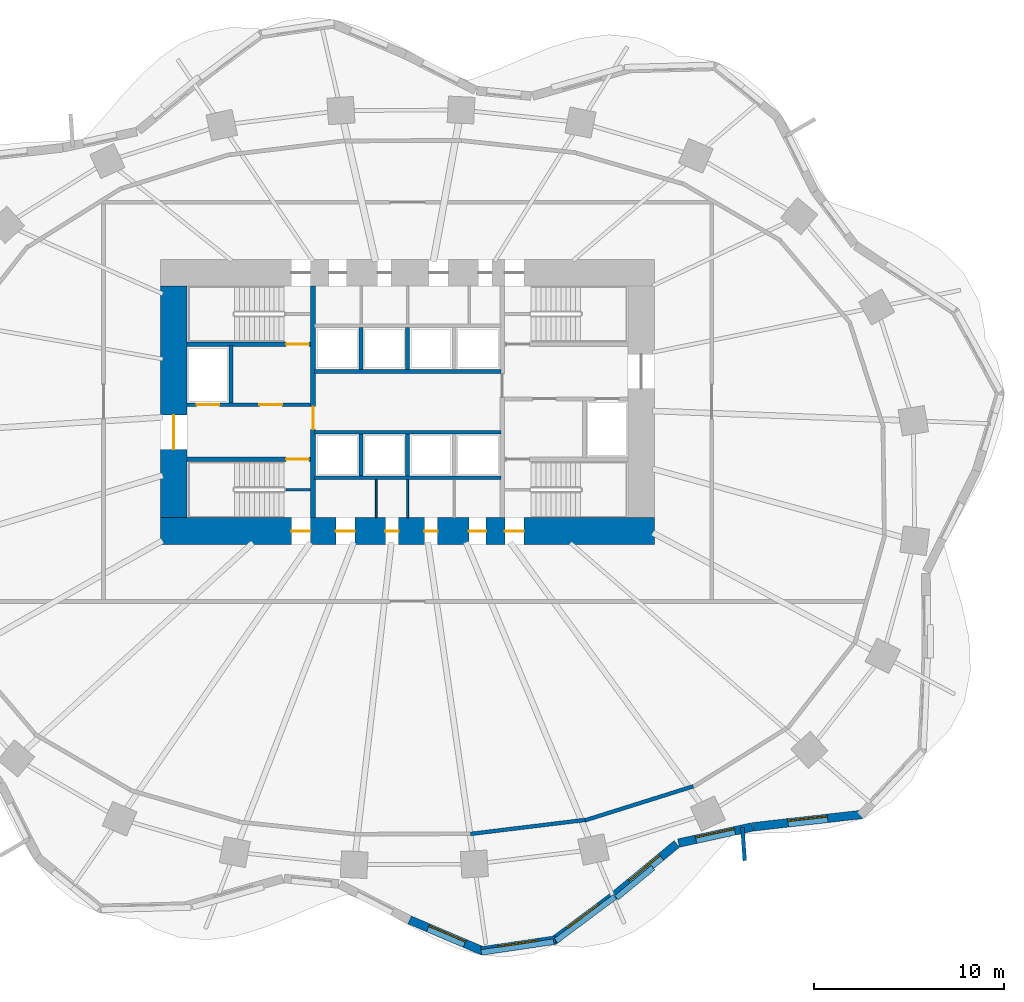
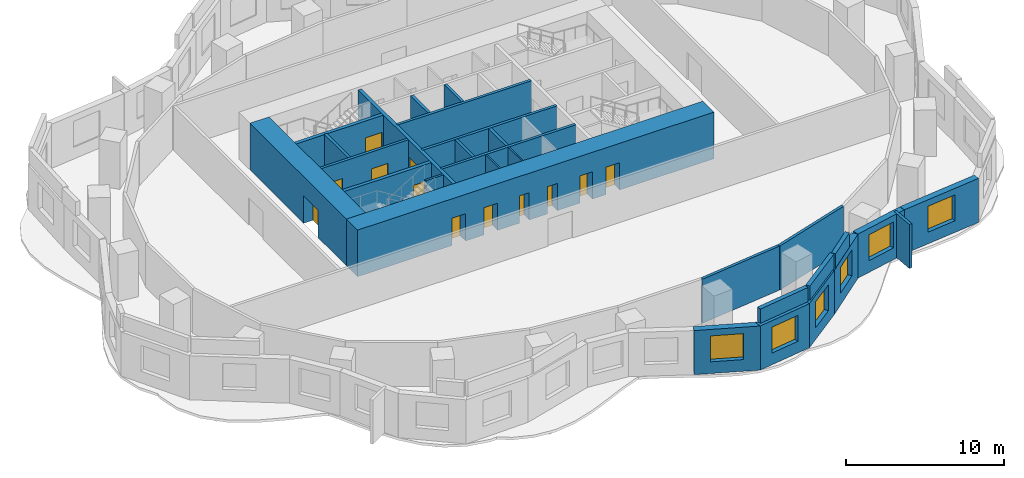
# One storey, part 4 of 8: 29 walls, 12 doors, 6 windows, 18 openings.
"""IFC4 building model written with IfcOpenShell, lengths in metres."""

from ifc_helpers import new_model, si_unit, direction, frame, frame_2d, origin, place, context, subcontext, project, spatial, rectangle, extrude, material, layer, layer_set, type_object, element, fill, save


model = new_model("IFC4")

# Units and contexts
model_context = context("Model", 3, precision=1e-05, world=origin(), true_north=direction((0.0, 1.0)))
body_context = subcontext(model_context, "Body", "Model", "MODEL_VIEW")
ifc_project = project(units=[si_unit("LENGTHUNIT", "METRE"), si_unit("AREAUNIT", "SQUARE_METRE"), si_unit("VOLUMEUNIT", "CUBIC_METRE"), si_unit("PLANEANGLEUNIT", "RADIAN"), si_unit("MASSUNIT", "GRAM", prefix="KILO")], contexts=[model_context])

# Site, building, storey
site_placement = place(None, origin())
site = spatial("IfcSite", under=ifc_project, at=site_placement, CompositionType="ELEMENT")
building_placement = place(site_placement, origin())
building = spatial("IfcBuilding", under=site, at=building_placement, Name="Rubra Terraces Tower", CompositionType="ELEMENT")
storey_placement = place(building_placement, frame((0.0, 0.0, 55.5)))
storey = spatial("IfcBuildingStorey", under=building, at=storey_placement, Name="L11", CompositionType="ELEMENT", Elevation=55.5)

# Wall, opening, window
ifc_material_1 = material(Name="Brick masonry red-brown", Category="masonry")
ifc_layer_1 = layer(ifc_material_1, 0.449951171875)
ifc_layer_set_1 = layer_set([ifc_layer_1], Name="Brick masonry red-brown")
wall_type_1 = type_object("IfcWallType", Name="Brick facade wall 450", PredefinedType="SOLIDWALL", material=ifc_layer_set_1)
wall_1_placement = place(storey_placement, frame((0.103271484375, -22.7578125, 0.0), z_axis=(0.0, 0.0, 1.0), x_axis=(0.920037498786, -0.391830321475, 0.0)))
wall_1 = element("IfcWall", 1, at=wall_1_placement, inside=storey, type_object=wall_type_1, Name="Facade wall L11 bay 31", PredefinedType="SOLIDWALL", context=body_context, shape_type="SweptSolid", body=[
    extrude(rectangle(XDim=4.219482421875, YDim=0.449951171875, at=frame_2d((2.10986328125, 0.0))), origin(), (0.0, 0.0, 1.0), 3.39990234375),
])
opening_1_placement = place(wall_1_placement, frame((1.059814453125, 0.0, 0.89990234375)))
opening_1 = element("IfcOpeningElement", 2, at=opening_1_placement, cuts=wall_1, Name="Opening W1", PredefinedType="OPENING", context=body_context, shape_type="SweptSolid", body=[
    extrude(rectangle(XDim=2.10009765625, YDim=2.0, at=frame_2d((1.050048828125, 1.0))), frame((0.0, 0.23486328125, 0.0), z_axis=(0.0, -1.0, 0.0), x_axis=(1.0, 0.0, 0.0)), (0.0, 0.0, 1.0), 0.469970703125),
])
ifc_material_2 = material(Name="Clear glass in aluminium frame", Category="aluminium")
window_type = type_object("IfcWindowType", Name="Fixed deep-set window 2100 x 2000", PartitioningType="SINGLE_PANEL", PredefinedType="WINDOW", material=ifc_material_2)
window_1_placement = place(opening_1_placement, origin())
window_1 = element("IfcWindow", 3, at=window_1_placement, inside=storey, type_object=window_type, Name="Window L11 bay 31", OverallHeight=2.0, OverallWidth=2.10009765625, PartitioningType="SINGLE_PANEL", PredefinedType="WINDOW", context=body_context, shape_type="SweptSolid", body=[
    extrude(rectangle(XDim=2.10009765625, YDim=2.0, at=frame_2d((1.050048828125, 1.0))), frame((0.0, 0.135009765625, 0.0), z_axis=(0.0, -1.0, 0.0), x_axis=(1.0, 0.0, 0.0)), (0.0, 0.0, 1.0), 0.06005859375),
])
fill(opening_1, window_1)

wall_2_placement = place(storey_placement, frame((3.8662109375, -24.396484375, 0.0), z_axis=(0.0, 0.0, 1.0), x_axis=(0.989255112942, 0.146199594798, 0.0)))
wall_2 = element("IfcWall", 4, at=wall_2_placement, inside=storey, type_object=wall_type_1, Name="Facade wall L11 bay 32", PredefinedType="SOLIDWALL", context=body_context, shape_type="SweptSolid", body=[
    extrude(rectangle(XDim=3.954345703125, YDim=0.449951171875, at=frame_2d((1.97705078125, 0.0))), origin(), (0.0, 0.0, 1.0), 3.39990234375),
])
opening_2_placement = place(wall_2_placement, frame((0.92724609375, 0.0, 0.89990234375)))
opening_2 = element("IfcOpeningElement", 5, at=opening_2_placement, cuts=wall_2, Name="Opening W1", PredefinedType="OPENING", context=body_context, shape_type="SweptSolid", body=[
    extrude(rectangle(XDim=2.10009765625, YDim=2.0, at=frame_2d((1.050048828125, 1.0))), frame((0.0, 0.23486328125, 0.0), z_axis=(0.0, -1.0, 0.0), x_axis=(1.0, 0.0, 0.0)), (0.0, 0.0, 1.0), 0.469970703125),
])
window_2_placement = place(opening_2_placement, origin())
window_2 = element("IfcWindow", 6, at=window_2_placement, inside=storey, type_object=window_type, Name="Window L11 bay 32", OverallHeight=2.0, OverallWidth=2.10009765625, PartitioningType="SINGLE_PANEL", PredefinedType="WINDOW", context=body_context, shape_type="SweptSolid", body=[
    extrude(rectangle(XDim=2.10009765625, YDim=2.0, at=frame_2d((1.050048828125, 1.0))), frame((0.0, 0.135009765625, 0.0), z_axis=(0.0, -1.0, 0.0), x_axis=(1.0, 0.0, 0.0)), (0.0, 0.0, 1.0), 0.06005859375),
])
fill(opening_2, window_2)

wall_3_placement = place(storey_placement, frame((7.678466796875, -23.859130859375, 0.0), z_axis=(0.0, 0.0, 1.0), x_axis=(0.801665619573, 0.597772728046, 0.0)))
wall_3 = element("IfcWall", 7, at=wall_3_placement, inside=storey, type_object=wall_type_1, Name="Facade wall L11 bay 33", PredefinedType="SOLIDWALL", context=body_context, shape_type="SweptSolid", body=[
    extrude(rectangle(XDim=4.0029296875, YDim=0.449951171875, at=frame_2d((2.00146484375, 0.0))), origin(), (0.0, 0.0, 1.0), 3.39990234375),
])
opening_3_placement = place(wall_3_placement, frame((0.951416015625, 0.0, 0.89990234375)))
opening_3 = element("IfcOpeningElement", 8, at=opening_3_placement, cuts=wall_3, Name="Opening W1", PredefinedType="OPENING", context=body_context, shape_type="SweptSolid", body=[
    extrude(rectangle(XDim=2.10009765625, YDim=2.0, at=frame_2d((1.050048828125, 1.0))), frame((0.0, 0.23486328125, 0.0), z_axis=(0.0, -1.0, 0.0), x_axis=(1.0, 0.0, 0.0)), (0.0, 0.0, 1.0), 0.469970703125),
])
window_3_placement = place(opening_3_placement, origin())
window_3 = element("IfcWindow", 9, at=window_3_placement, inside=storey, type_object=window_type, Name="Window L11 bay 33", OverallHeight=2.0, OverallWidth=2.10009765625, PartitioningType="SINGLE_PANEL", PredefinedType="WINDOW", context=body_context, shape_type="SweptSolid", body=[
    extrude(rectangle(XDim=2.10009765625, YDim=2.0, at=frame_2d((1.050048828125, 1.0))), frame((0.0, 0.135009765625, 0.0), z_axis=(0.0, -1.0, 0.0), x_axis=(1.0, 0.0, 0.0)), (0.0, 0.0, 1.0), 0.06005859375),
])
fill(opening_3, window_3)

wall_4_placement = place(storey_placement, frame((10.878662109375, -21.473388671875, 0.0), z_axis=(0.0, 0.0, 1.0), x_axis=(0.77124668946, 0.636536365023, 0.0)))
wall_4 = element("IfcWall", 10, at=wall_4_placement, inside=storey, type_object=wall_type_1, Name="Facade wall L11 bay 34", PredefinedType="SOLIDWALL", context=body_context, shape_type="SweptSolid", body=[
    extrude(rectangle(XDim=4.2607421875, YDim=0.449951171875, at=frame_2d((2.13037109375, 0.0))), origin(), (0.0, 0.0, 1.0), 3.39990234375),
])
opening_4_placement = place(wall_4_placement, frame((1.080322265625, 0.0, 0.89990234375)))
opening_4 = element("IfcOpeningElement", 11, at=opening_4_placement, cuts=wall_4, Name="Opening W1", PredefinedType="OPENING", context=body_context, shape_type="SweptSolid", body=[
    extrude(rectangle(XDim=2.10009765625, YDim=2.0, at=frame_2d((1.050048828125, 1.0))), frame((0.0, 0.23486328125, 0.0), z_axis=(0.0, -1.0, 0.0), x_axis=(1.0, 0.0, 0.0)), (0.0, 0.0, 1.0), 0.469970703125),
])
window_4_placement = place(opening_4_placement, origin())
window_4 = element("IfcWindow", 12, at=window_4_placement, inside=storey, type_object=window_type, Name="Window L11 bay 34", OverallHeight=2.0, OverallWidth=2.10009765625, PartitioningType="SINGLE_PANEL", PredefinedType="WINDOW", context=body_context, shape_type="SweptSolid", body=[
    extrude(rectangle(XDim=2.10009765625, YDim=2.0, at=frame_2d((1.050048828125, 1.0))), frame((0.0, 0.135009765625, 0.0), z_axis=(0.0, -1.0, 0.0), x_axis=(1.0, 0.0, 0.0)), (0.0, 0.0, 1.0), 0.06005859375),
])
fill(opening_4, window_4)

wall_5_placement = place(storey_placement, frame((14.250732421875, -18.71826171875, 0.0), z_axis=(0.0, 0.0, 1.0), x_axis=(0.976903627618, 0.213680374267, 0.0)))
wall_5 = element("IfcWall", 13, at=wall_5_placement, inside=storey, type_object=wall_type_1, Name="Facade wall L11 bay 35", PredefinedType="SOLIDWALL", context=body_context, shape_type="SweptSolid", body=[
    extrude(rectangle(XDim=3.970458984375, YDim=0.449951171875, at=frame_2d((1.9853515625, 0.0))), origin(), (0.0, 0.0, 1.0), 3.39990234375),
])
opening_5_placement = place(wall_5_placement, frame((0.93505859375, 0.0, 0.89990234375)))
opening_5 = element("IfcOpeningElement", 14, at=opening_5_placement, cuts=wall_5, Name="Opening W1", PredefinedType="OPENING", context=body_context, shape_type="SweptSolid", body=[
    extrude(rectangle(XDim=2.10009765625, YDim=2.0, at=frame_2d((1.050048828125, 1.0))), frame((0.0, 0.23486328125, 0.0), z_axis=(0.0, -1.0, 0.0), x_axis=(1.0, 0.0, 0.0)), (0.0, 0.0, 1.0), 0.469970703125),
])
window_5_placement = place(opening_5_placement, origin())
window_5 = element("IfcWindow", 15, at=window_5_placement, inside=storey, type_object=window_type, Name="Window L11 bay 35", OverallHeight=2.0, OverallWidth=2.10009765625, PartitioningType="SINGLE_PANEL", PredefinedType="WINDOW", context=body_context, shape_type="SweptSolid", body=[
    extrude(rectangle(XDim=2.10009765625, YDim=2.0, at=frame_2d((1.050048828125, 1.0))), frame((0.0, 0.135009765625, 0.0), z_axis=(0.0, -1.0, 0.0), x_axis=(1.0, 0.0, 0.0)), (0.0, 0.0, 1.0), 0.06005859375),
])
fill(opening_5, window_5)

wall_6_placement = place(storey_placement, frame((18.154296875, -17.864990234375, 0.0), z_axis=(0.0, 0.0, 1.0), x_axis=(0.993572909097, 0.113193967633, 0.0)))
wall_6 = element("IfcWall", 16, at=wall_6_placement, inside=storey, type_object=wall_type_1, Name="Facade wall L11 bay 36", PredefinedType="SOLIDWALL", context=body_context, shape_type="SweptSolid", body=[
    extrude(rectangle(XDim=5.838623046875, YDim=0.449951171875, at=frame_2d((2.91943359375, 0.0))), origin(), (0.0, 0.0, 1.0), 3.39990234375),
])
opening_6_placement = place(wall_6_placement, frame((1.869384765625, 0.0, 0.89990234375)))
opening_6 = element("IfcOpeningElement", 17, at=opening_6_placement, cuts=wall_6, Name="Opening W1", PredefinedType="OPENING", context=body_context, shape_type="SweptSolid", body=[
    extrude(rectangle(XDim=2.10009765625, YDim=2.0, at=frame_2d((1.050048828125, 1.0))), frame((0.0, 0.23486328125, 0.0), z_axis=(0.0, -1.0, 0.0), x_axis=(1.0, 0.0, 0.0)), (0.0, 0.0, 1.0), 0.469970703125),
])
window_6_placement = place(opening_6_placement, origin())
window_6 = element("IfcWindow", 18, at=window_6_placement, inside=storey, type_object=window_type, Name="Window L11 bay 36", OverallHeight=2.0, OverallWidth=2.10009765625, PartitioningType="SINGLE_PANEL", PredefinedType="WINDOW", context=body_context, shape_type="SweptSolid", body=[
    extrude(rectangle(XDim=2.10009765625, YDim=2.0, at=frame_2d((1.050048828125, 1.0))), frame((0.0, 0.135009765625, 0.0), z_axis=(0.0, -1.0, 0.0), x_axis=(1.0, 0.0, 0.0)), (0.0, 0.0, 1.0), 0.06005859375),
])
fill(opening_6, window_6)

# Walls
ifc_layer_2 = layer(ifc_material_1, 0.300048828125)
ifc_layer_set_2 = layer_set([ifc_layer_2], Name="Brick masonry red-brown")
wall_type_2 = type_object("IfcWallType", Name="Brick parapet 300", PredefinedType="PARAPET", material=ifc_layer_set_2)
wall_7_placement = place(storey_placement, frame((3.877197265625, -24.470703125, 3.60009765625), z_axis=(0.0, 0.0, 1.0), x_axis=(0.989252791024, 0.146215305118, 0.0)))
element("IfcWall", 19, at=wall_7_placement, inside=storey, type_object=wall_type_2, Name="Parapet L11 bay 32", PredefinedType="PARAPET", context=body_context, shape_type="SweptSolid", body=[
    extrude(rectangle(XDim=3.8486328125, YDim=0.300048828125, at=frame_2d((1.92431640625, 0.0))), origin(), (0.0, 0.0, 1.0), 1.099853515625),
])
wall_8_placement = place(storey_placement, frame((7.80615234375, -23.857666015625, 3.60009765625), z_axis=(0.0, 0.0, 1.0), x_axis=(0.801649538596, 0.597794293439, 0.0)))
element("IfcWall", 20, at=wall_8_placement, inside=storey, type_object=wall_type_2, Name="Parapet L11 bay 33", PredefinedType="PARAPET", context=body_context, shape_type="SweptSolid", body=[
    extrude(rectangle(XDim=3.86474609375, YDim=0.300048828125, at=frame_2d((1.932373046875, 0.0))), origin(), (0.0, 0.0, 1.0), 1.099853515625),
])
wall_9_placement = place(storey_placement, frame((10.981689453125, -21.60107421875, 3.60009765625), z_axis=(0.0, 0.0, 1.0), x_axis=(0.771295342686, 0.636477410715, 0.0)))
element("IfcWall", 21, at=wall_9_placement, inside=storey, type_object=wall_type_2, Name="Parapet L11 bay 34", PredefinedType="PARAPET", context=body_context, shape_type="SweptSolid", body=[
    extrude(rectangle(XDim=2.4990234375, YDim=0.300048828125, at=frame_2d((1.24951171875, 0.0))), origin(), (0.0, 0.0, 1.0), 1.099853515625),
])
ifc_layer_3 = layer(ifc_material_1, 0.199951171875)
ifc_layer_set_3 = layer_set([ifc_layer_3], Name="Brick masonry red-brown")
wall_type_3 = type_object("IfcWallType", Name="Brick wind fin 200", PredefinedType="SOLIDWALL", material=ifc_layer_set_3)
wall_10_placement = place(storey_placement, frame((17.614013671875, -17.90087890625, 0.0), z_axis=(0.0, 0.0, 1.0), x_axis=(0.069750000204, -0.997564502913, 0.0)))
element("IfcWall", 22, at=wall_10_placement, inside=storey, type_object=wall_type_3, Name="Wind fin L11 21", PredefinedType="SOLIDWALL", context=body_context, shape_type="SweptSolid", body=[
    extrude(rectangle(XDim=1.75, YDim=0.199951171875, at=frame_2d((0.875, 0.0))), origin(), (0.0, 0.0, 1.0), 3.39990234375),
])

# Wall, openings, doors
ifc_material_3 = material(Name="Concrete C70", Category="concrete")
ifc_layer_4 = layer(ifc_material_3, 1.39990234375)
ifc_layer_set_4 = layer_set([ifc_layer_4], Name="Concrete C70")
wall_type_4 = type_object("IfcWallType", Name="CORE WALL 1400 C70", PredefinedType="SHEAR", material=ifc_layer_set_4)
wall_11_placement = place(storey_placement, frame((-13.0, -2.300048828125, 0.0), z_axis=(0.0, 0.0, 1.0), x_axis=(1.0, 0.0, 0.0)))
wall_11 = element("IfcWall", 23, at=wall_11_placement, inside=storey, type_object=wall_type_4, Name="CORE WALL S L11", PredefinedType="SHEAR", context=body_context, shape_type="SweptSolid", body=[
    extrude(rectangle(XDim=26.0, YDim=1.39990234375, at=frame_2d((13.0, 0.0))), origin(), (0.0, 0.0, 1.0), 3.60009765625),
])
opening_7_placement = place(wall_11_placement, frame((9.22509765625, 0.0, 0.0)))
opening_7 = element("IfcOpeningElement", 24, at=opening_7_placement, cuts=wall_11, Name="Opening L11.C13", PredefinedType="OPENING", context=body_context, shape_type="SweptSolid", body=[
    extrude(rectangle(XDim=1.0, YDim=2.10009765625, at=frame_2d((0.5, 1.050048828125))), frame((0.0, 0.7099609375, 0.0), z_axis=(0.0, -1.0, 0.0), x_axis=(1.0, 0.0, 0.0)), (0.0, 0.0, 1.0), 1.419921875),
])
opening_8_placement = place(wall_11_placement, frame((11.824951171875, 0.0, 0.0)))
opening_8 = element("IfcOpeningElement", 25, at=opening_8_placement, cuts=wall_11, Name="Opening L11.C14", PredefinedType="OPENING", context=body_context, shape_type="SweptSolid", body=[
    extrude(rectangle(XDim=0.699951171875, YDim=2.10009765625, at=frame_2d((0.35009765625, 1.050048828125))), frame((0.0, 0.7099609375, 0.0), z_axis=(0.0, -1.0, 0.0), x_axis=(1.0, 0.0, 0.0)), (0.0, 0.0, 1.0), 1.419921875),
])
opening_9_placement = place(wall_11_placement, frame((13.875, 0.0, 0.0)))
opening_9 = element("IfcOpeningElement", 26, at=opening_9_placement, cuts=wall_11, Name="Opening L11.C15", PredefinedType="OPENING", context=body_context, shape_type="SweptSolid", body=[
    extrude(rectangle(XDim=0.699951171875, YDim=2.10009765625, at=frame_2d((0.35009765625, 1.050048828125))), frame((0.0, 0.7099609375, 0.0), z_axis=(0.0, -1.0, 0.0), x_axis=(1.0, 0.0, 0.0)), (0.0, 0.0, 1.0), 1.419921875),
])
opening_10_placement = place(wall_11_placement, frame((16.22509765625, 0.0, 0.0)))
opening_10 = element("IfcOpeningElement", 27, at=opening_10_placement, cuts=wall_11, Name="Opening L11.C16", PredefinedType="OPENING", context=body_context, shape_type="SweptSolid", body=[
    extrude(rectangle(XDim=0.89990234375, YDim=2.10009765625, at=frame_2d((0.449951171875, 1.050048828125))), frame((0.0, 0.7099609375, 0.0), z_axis=(0.0, -1.0, 0.0), x_axis=(1.0, 0.0, 0.0)), (0.0, 0.0, 1.0), 1.419921875),
])
opening_11_placement = place(wall_11_placement, frame((6.8798828125, 0.0, 0.0)))
opening_11 = element("IfcOpeningElement", 28, at=opening_11_placement, cuts=wall_11, Name="Opening L11.C21", PredefinedType="OPENING", context=body_context, shape_type="SweptSolid", body=[
    extrude(rectangle(XDim=1.0, YDim=2.10009765625, at=frame_2d((0.5, 1.050048828125))), frame((0.0, 0.7099609375, 0.0), z_axis=(0.0, -1.0, 0.0), x_axis=(1.0, 0.0, 0.0)), (0.0, 0.0, 1.0), 1.419921875),
])
opening_12_placement = place(wall_11_placement, frame((18.1201171875, 0.0, 0.0)))
opening_12 = element("IfcOpeningElement", 29, at=opening_12_placement, cuts=wall_11, Name="Opening L11.C24", PredefinedType="OPENING", context=body_context, shape_type="SweptSolid", body=[
    extrude(rectangle(XDim=1.0, YDim=2.10009765625, at=frame_2d((0.5, 1.050048828125))), frame((0.0, 0.7099609375, 0.0), z_axis=(0.0, -1.0, 0.0), x_axis=(1.0, 0.0, 0.0)), (0.0, 0.0, 1.0), 1.419921875),
])
ifc_material_4 = material(Name="Painted steel", Category="steel")
door_type_1 = type_object("IfcDoorType", Name="Fire door 1000x2100 single", OperationType="NOTDEFINED", PredefinedType="DOOR", material=ifc_material_4)
door_1_placement = place(opening_7_placement, origin())
door_1 = element("IfcDoor", 30, at=door_1_placement, inside=storey, type_object=door_type_1, Name="General store door", OperationType="SINGLE_SWING_LEFT", OverallHeight=2.10009765625, OverallWidth=1.0, PredefinedType="DOOR", context=body_context, shape_type="SweptSolid", body=[
    extrude(rectangle(XDim=1.0, YDim=2.10009765625, at=frame_2d((0.5, 1.050048828125))), frame((0.0, 0.02490234375, 0.0), z_axis=(0.0, -1.0, 0.0), x_axis=(1.0, 0.0, 0.0)), (0.0, 0.0, 1.0), 0.050048828125),
])
fill(opening_7, door_1)
door_2_placement = place(opening_11_placement, origin())
door_2 = element("IfcDoor", 31, at=door_2_placement, inside=storey, type_object=door_type_1, Name="Stair S1 refuge door", OperationType="SINGLE_SWING_LEFT", OverallHeight=2.10009765625, OverallWidth=1.0, PredefinedType="DOOR", context=body_context, shape_type="SweptSolid", body=[
    extrude(rectangle(XDim=1.0, YDim=2.10009765625, at=frame_2d((0.5, 1.050048828125))), frame((0.0, 0.02490234375, 0.0), z_axis=(0.0, -1.0, 0.0), x_axis=(1.0, 0.0, 0.0)), (0.0, 0.0, 1.0), 0.050048828125),
])
fill(opening_11, door_2)
door_3_placement = place(opening_12_placement, origin())
door_3 = element("IfcDoor", 32, at=door_3_placement, inside=storey, type_object=door_type_1, Name="Stair S4 refuge door", OperationType="SINGLE_SWING_RIGHT", OverallHeight=2.10009765625, OverallWidth=1.0, PredefinedType="DOOR", context=body_context, shape_type="SweptSolid", body=[
    extrude(rectangle(XDim=1.0, YDim=2.10009765625, at=frame_2d((0.5, 1.050048828125))), frame((0.0, 0.02490234375, 0.0), z_axis=(0.0, -1.0, 0.0), x_axis=(1.0, 0.0, 0.0)), (0.0, 0.0, 1.0), 0.050048828125),
])
fill(opening_12, door_3)
door_type_2 = type_object("IfcDoorType", Name="Fire door 900x2100 single", OperationType="NOTDEFINED", PredefinedType="DOOR", material=ifc_material_4)
door_4_placement = place(opening_10_placement, origin())
door_4 = element("IfcDoor", 33, at=door_4_placement, inside=storey, type_object=door_type_2, Name="Cleaner's store door", OperationType="SINGLE_SWING_RIGHT", OverallHeight=2.10009765625, OverallWidth=0.89990234375, PredefinedType="DOOR", context=body_context, shape_type="SweptSolid", body=[
    extrude(rectangle(XDim=0.89990234375, YDim=2.10009765625, at=frame_2d((0.449951171875, 1.050048828125))), frame((0.0, 0.02490234375, 0.0), z_axis=(0.0, -1.0, 0.0), x_axis=(1.0, 0.0, 0.0)), (0.0, 0.0, 1.0), 0.050048828125),
])
fill(opening_10, door_4)
door_type_3 = type_object("IfcDoorType", Name="Riser access door 700x2100 single", OperationType="NOTDEFINED", PredefinedType="DOOR", material=ifc_material_4)
door_5_placement = place(opening_8_placement, origin())
door_5 = element("IfcDoor", 34, at=door_5_placement, inside=storey, type_object=door_type_3, Name="Mechanical riser (water and drainage) door", OperationType="SINGLE_SWING_RIGHT", OverallHeight=2.10009765625, OverallWidth=0.699951171875, PredefinedType="DOOR", context=body_context, shape_type="SweptSolid", body=[
    extrude(rectangle(XDim=0.699951171875, YDim=2.10009765625, at=frame_2d((0.35009765625, 1.050048828125))), frame((0.0, 0.02490234375, 0.0), z_axis=(0.0, -1.0, 0.0), x_axis=(1.0, 0.0, 0.0)), (0.0, 0.0, 1.0), 0.050048828125),
])
fill(opening_8, door_5)
door_6_placement = place(opening_9_placement, origin())
door_6 = element("IfcDoor", 35, at=door_6_placement, inside=storey, type_object=door_type_3, Name="M&E riser room door", OperationType="SINGLE_SWING_LEFT", OverallHeight=2.10009765625, OverallWidth=0.699951171875, PredefinedType="DOOR", context=body_context, shape_type="SweptSolid", body=[
    extrude(rectangle(XDim=0.699951171875, YDim=2.10009765625, at=frame_2d((0.35009765625, 1.050048828125))), frame((0.0, 0.02490234375, 0.0), z_axis=(0.0, -1.0, 0.0), x_axis=(1.0, 0.0, 0.0)), (0.0, 0.0, 1.0), 0.050048828125),
])
fill(opening_9, door_6)

# Wall, opening, door
wall_12_placement = place(storey_placement, frame((-12.300048828125, -1.60009765625, 0.0), z_axis=(0.0, 0.0, 1.0), x_axis=(0.0, 1.0, 0.0)))
wall_12 = element("IfcWall", 36, at=wall_12_placement, inside=storey, type_object=wall_type_4, Name="CORE WALL W L11", PredefinedType="SHEAR", context=body_context, shape_type="SweptSolid", body=[
    extrude(rectangle(XDim=12.2001953125, YDim=1.39990234375, at=frame_2d((6.10009765625, 0.0))), origin(), (0.0, 0.0, 1.0), 3.60009765625),
])
opening_13_placement = place(wall_12_placement, frame((3.60009765625, 0.0, 0.0)))
opening_13 = element("IfcOpeningElement", 37, at=opening_13_placement, cuts=wall_12, Name="Opening L11.C01", PredefinedType="OPENING", context=body_context, shape_type="SweptSolid", body=[
    extrude(rectangle(XDim=1.800048828125, YDim=2.10009765625, at=frame_2d((0.89990234375, 1.050048828125))), frame((0.0, 0.7099609375, 0.0), z_axis=(0.0, -1.0, 0.0), x_axis=(1.0, 0.0, 0.0)), (0.0, 0.0, 1.0), 1.419921875),
])
door_type_4 = type_object("IfcDoorType", Name="Fire door 1800x2100 double", OperationType="NOTDEFINED", PredefinedType="DOOR", material=ifc_material_4)
door_7_placement = place(opening_13_placement, origin())
door_7 = element("IfcDoor", 38, at=door_7_placement, inside=storey, type_object=door_type_4, Name="Core entrance door FF1", OperationType="DOUBLE_DOOR_SINGLE_SWING", OverallHeight=2.10009765625, OverallWidth=1.800048828125, PredefinedType="DOOR", context=body_context, shape_type="SweptSolid", body=[
    extrude(rectangle(XDim=1.800048828125, YDim=2.10009765625, at=frame_2d((0.89990234375, 1.050048828125))), frame((0.0, 0.02490234375, 0.0), z_axis=(0.0, -1.0, 0.0), x_axis=(1.0, 0.0, 0.0)), (0.0, 0.0, 1.0), 0.050048828125),
])
fill(opening_13, door_7)

# Wall, openings, doors
ifc_material_5 = material(Name="Concrete C30", Category="concrete")
ifc_layer_5 = layer(ifc_material_5, 0.199951171875)
ifc_layer_set_5 = layer_set([ifc_layer_5], Name="Concrete C30")
wall_type_5 = type_object("IfcWallType", Name="Core wall 200 concrete", PredefinedType="SOLIDWALL", material=ifc_layer_set_5)
wall_13_placement = place(storey_placement, frame((-11.60009765625, 4.35009765625, 0.0), z_axis=(0.0, 0.0, 1.0), x_axis=(1.0, 0.0, 0.0)))
wall_13 = element("IfcWall", 39, at=wall_13_placement, inside=storey, type_object=wall_type_5, Name="STAIR WALL L11", PredefinedType="SOLIDWALL", context=body_context, shape_type="SweptSolid", body=[
    extrude(rectangle(XDim=6.5, YDim=0.199951171875, at=frame_2d((3.25, 0.0))), origin(), (0.0, 0.0, 1.0), 3.39990234375),
])
opening_14_placement = place(wall_13_placement, frame((3.800048828125, 0.0, 0.0)))
opening_14 = element("IfcOpeningElement", 40, at=opening_14_placement, cuts=wall_13, Name="Opening L11.C05", PredefinedType="OPENING", context=body_context, shape_type="SweptSolid", body=[
    extrude(rectangle(XDim=1.199951171875, YDim=2.10009765625, at=frame_2d((0.60009765625, 1.050048828125))), frame((0.0, 0.10986328125, 0.0), z_axis=(0.0, -1.0, 0.0), x_axis=(1.0, 0.0, 0.0)), (0.0, 0.0, 1.0), 0.219970703125),
])
opening_15_placement = place(wall_13_placement, frame((0.5, 0.0, 0.0)))
opening_15 = element("IfcOpeningElement", 41, at=opening_15_placement, cuts=wall_13, Name="Opening L11.C11", PredefinedType="OPENING", context=body_context, shape_type="SweptSolid", body=[
    extrude(rectangle(XDim=1.199951171875, YDim=2.10009765625, at=frame_2d((0.60009765625, 1.050048828125))), frame((0.0, 0.10986328125, 0.0), z_axis=(0.0, -1.0, 0.0), x_axis=(1.0, 0.0, 0.0)), (0.0, 0.0, 1.0), 0.219970703125),
])
door_type_5 = type_object("IfcDoorType", Name="Fire door 1200x2100 single", OperationType="NOTDEFINED", PredefinedType="DOOR", material=ifc_material_4)
door_8_placement = place(opening_14_placement, origin())
door_8 = element("IfcDoor", 42, at=door_8_placement, inside=storey, type_object=door_type_5, Name="Stair vestibule door S2", OperationType="SINGLE_SWING_LEFT", OverallHeight=2.10009765625, OverallWidth=1.199951171875, PredefinedType="DOOR", context=body_context, shape_type="SweptSolid", body=[
    extrude(rectangle(XDim=1.199951171875, YDim=2.10009765625, at=frame_2d((0.60009765625, 1.050048828125))), frame((0.0, 0.02490234375, 0.0), z_axis=(0.0, -1.0, 0.0), x_axis=(1.0, 0.0, 0.0)), (0.0, 0.0, 1.0), 0.050048828125),
])
fill(opening_14, door_8)
ifc_material_6 = material(Name="Stainless steel", Category="steel")
door_type_6 = type_object("IfcDoorType", Name="Lift landing door 1200x2100", OperationType="NOTDEFINED", PredefinedType="DOOR", material=ifc_material_6)
door_9_placement = place(opening_15_placement, origin())
door_9 = element("IfcDoor", 43, at=door_9_placement, inside=storey, type_object=door_type_6, Name="Landing door FF1", OperationType="SLIDING_TO_RIGHT", OverallHeight=2.10009765625, OverallWidth=1.199951171875, PredefinedType="DOOR", context=body_context, shape_type="SweptSolid", body=[
    extrude(rectangle(XDim=1.199951171875, YDim=2.10009765625, at=frame_2d((0.60009765625, 1.050048828125))), frame((0.0, 0.02490234375, 0.0), z_axis=(0.0, -1.0, 0.0), x_axis=(1.0, 0.0, 0.0)), (0.0, 0.0, 1.0), 0.050048828125),
])
fill(opening_15, door_9)

# Walls
wall_14_placement = place(storey_placement, frame((-9.300048828125, 4.449951171875, 0.0), z_axis=(0.0, 0.0, 1.0), x_axis=(0.0, 1.0, 0.0)))
element("IfcWall", 44, at=wall_14_placement, inside=storey, type_object=wall_type_5, Name="STAIR WALL L11", PredefinedType="SOLIDWALL", context=body_context, shape_type="SweptSolid", body=[
    extrude(rectangle(XDim=3.0, YDim=0.199951171875, at=frame_2d((1.5, 0.0))), origin(), (0.0, 0.0, 1.0), 3.39990234375),
])
for number, where, z_axis, x_axis, name in (
    (45, (-4.89990234375, 0.5, 0.0), (0.0, 0.0, 1.0), (1.0, 0.0, 0.0), "LIFT SHAFT WALL L11"),
    (46, (-4.89990234375, 2.89990234375, 0.0), (0.0, 0.0, 1.0), (1.0, 0.0, 0.0), "LIFT SHAFT WALL L11"),
    (47, (-4.89990234375, 6.10009765625, 0.0), (0.0, 0.0, 1.0), (1.0, 0.0, 0.0), "LIFT SHAFT WALL L11"),
):
    element("IfcWall", number, at=place(storey_placement, frame(where, z_axis=z_axis, x_axis=x_axis)), inside=storey, type_object=wall_type_5, Name=name, PredefinedType="SOLIDWALL", context=body_context, shape_type="SweptSolid", body=[
        extrude(rectangle(XDim=9.7998046875, YDim=0.199951171875, at=frame_2d((4.89990234375, 0.0))), origin(), (0.0, 0.0, 1.0), 3.39990234375),
    ])
for number, where, z_axis, x_axis, name in (
    (48, (-2.449951171875, 0.60009765625, 0.0), (0.0, 0.0, 1.0), (0.0, 1.0, 0.0), "LIFT SHAFT WALL L11"),
    (49, (0.0, 0.60009765625, 0.0), (0.0, 0.0, 1.0), (0.0, 1.0, 0.0), "LIFT SHAFT WALL L11"),
    (50, (-2.449951171875, 6.199951171875, 0.0), (0.0, 0.0, 1.0), (0.0, 1.0, 0.0), "LIFT SHAFT WALL L11"),
    (51, (0.0, 6.199951171875, 0.0), (0.0, 0.0, 1.0), (0.0, 1.0, 0.0), "LIFT SHAFT WALL L11"),
):
    element("IfcWall", number, at=place(storey_placement, frame(where, z_axis=z_axis, x_axis=x_axis)), inside=storey, type_object=wall_type_5, Name=name, PredefinedType="SOLIDWALL", context=body_context, shape_type="SweptSolid", body=[
        extrude(rectangle(XDim=2.199951171875, YDim=0.199951171875, at=frame_2d((1.10009765625, 0.0))), origin(), (0.0, 0.0, 1.0), 3.39990234375),
    ])
ifc_material_7 = material(Name="Blockwork", Category="masonry")
ifc_layer_6 = layer(ifc_material_7, 0.199951171875)
ifc_layer_set_6 = layer_set([ifc_layer_6], Name="Blockwork")
wall_type_6 = type_object("IfcWallType", Name="Corridor partition 200 blockwork", PredefinedType="PARTITIONING", material=ifc_layer_set_6)
wall_15_placement = place(storey_placement, frame((15.028076171875, -15.72998046875, 0.0), z_axis=(0.0, 0.0, 1.0), x_axis=(-0.953899230101, -0.300127071108, 0.0)))
element("IfcWall", 52, at=wall_15_placement, inside=storey, type_object=wall_type_6, Name="Partition wall", PredefinedType="PARTITIONING", context=body_context, shape_type="SweptSolid", body=[
    extrude(rectangle(XDim=5.957763671875, YDim=0.199951171875, at=frame_2d((2.97900390625, 0.0))), origin(), (0.0, 0.0, 1.0), 3.39990234375),
])
wall_16_placement = place(storey_placement, frame((9.341064453125, -17.5, 0.0), z_axis=(0.0, 0.0, 1.0), x_axis=(-0.992636454539, -0.121131618992, 0.0)))
element("IfcWall", 53, at=wall_16_placement, inside=storey, type_object=wall_type_6, Name="Partition wall", PredefinedType="PARTITIONING", context=body_context, shape_type="SweptSolid", body=[
    extrude(rectangle(XDim=6.07666015625, YDim=0.199951171875, at=frame_2d((3.038330078125, 0.0))), origin(), (0.0, 0.0, 1.0), 3.39990234375),
])
ifc_layer_7 = layer(ifc_material_7, 0.10009765625)
ifc_layer_set_7 = layer_set([ifc_layer_7], Name="Blockwork")
wall_type_7 = type_object("IfcWallType", Name="Service partition 100 blockwork", PredefinedType="PARTITIONING", material=ifc_layer_set_7)
for number, where, z_axis, x_axis, name in (
    (54, (-1.64990234375, -1.60009765625, 0.0), (0.0, 0.0, 1.0), (0.0, 1.0, 0.0), "SERVICE ROOM PARTITION L11"),
    (55, (0.0, -1.60009765625, 0.0), (0.0, 0.0, 1.0), (0.0, 1.0, 0.0), "SERVICE ROOM PARTITION L11"),
):
    element("IfcWall", number, at=place(storey_placement, frame(where, z_axis=z_axis, x_axis=x_axis)), inside=storey, type_object=wall_type_7, Name=name, PredefinedType="PARTITIONING", context=body_context, shape_type="SweptSolid", body=[
        extrude(rectangle(XDim=2.0, YDim=0.10009765625, at=frame_2d((1.0, 0.0))), origin(), (0.0, 0.0, 1.0), 3.39990234375),
    ])

# Wall, opening, door
ifc_material_8 = material(Name="Concrete C40", Category="concrete")
ifc_layer_8 = layer(ifc_material_8, 0.25)
ifc_layer_set_8 = layer_set([ifc_layer_8], Name="Concrete C40")
wall_type_8 = type_object("IfcWallType", Name="Stair enclosure wall 250 concrete", PredefinedType="SOLIDWALL", material=ifc_layer_set_8)
wall_17_placement = place(storey_placement, frame((-11.60009765625, 1.47509765625, 0.0), z_axis=(0.0, 0.0, 1.0), x_axis=(1.0, 0.0, 0.0)))
wall_17 = element("IfcWall", 56, at=wall_17_placement, inside=storey, type_object=wall_type_8, Name="STAIR WALL L11", PredefinedType="SOLIDWALL", context=body_context, shape_type="SweptSolid", body=[
    extrude(rectangle(XDim=6.5, YDim=0.25, at=frame_2d((3.25, 0.0))), origin(), (0.0, 0.0, 1.0), 3.39990234375),
])
opening_16_placement = place(wall_17_placement, frame((5.199951171875, 0.0, 0.0)))
opening_16 = element("IfcOpeningElement", 57, at=opening_16_placement, cuts=wall_17, Name="Opening L11.C07", PredefinedType="OPENING", context=body_context, shape_type="SweptSolid", body=[
    extrude(rectangle(XDim=1.199951171875, YDim=2.10009765625, at=frame_2d((0.60009765625, 1.050048828125))), frame((0.0, 0.135009765625, 0.0), z_axis=(0.0, -1.0, 0.0), x_axis=(1.0, 0.0, 0.0)), (0.0, 0.0, 1.0), 0.27001953125),
])
door_10_placement = place(opening_16_placement, origin())
door_10 = element("IfcDoor", 58, at=door_10_placement, inside=storey, type_object=door_type_5, Name="Stair door S1", OperationType="SINGLE_SWING_LEFT", OverallHeight=2.10009765625, OverallWidth=1.199951171875, PredefinedType="DOOR", context=body_context, shape_type="SweptSolid", body=[
    extrude(rectangle(XDim=1.199951171875, YDim=2.10009765625, at=frame_2d((0.60009765625, 1.050048828125))), frame((0.0, 0.02490234375, 0.0), z_axis=(0.0, -1.0, 0.0), x_axis=(1.0, 0.0, 0.0)), (0.0, 0.0, 1.0), 0.050048828125),
])
fill(opening_16, door_10)

wall_18_placement = place(storey_placement, frame((-11.60009765625, 7.52490234375, 0.0), z_axis=(0.0, 0.0, 1.0), x_axis=(1.0, 0.0, 0.0)))
wall_18 = element("IfcWall", 59, at=wall_18_placement, inside=storey, type_object=wall_type_8, Name="STAIR WALL L11", PredefinedType="SOLIDWALL", context=body_context, shape_type="SweptSolid", body=[
    extrude(rectangle(XDim=6.5, YDim=0.25, at=frame_2d((3.25, 0.0))), origin(), (0.0, 0.0, 1.0), 3.39990234375),
])
opening_17_placement = place(wall_18_placement, frame((5.199951171875, 0.0, 0.0)))
opening_17 = element("IfcOpeningElement", 60, at=opening_17_placement, cuts=wall_18, Name="Opening L11.C09", PredefinedType="OPENING", context=body_context, shape_type="SweptSolid", body=[
    extrude(rectangle(XDim=1.199951171875, YDim=2.10009765625, at=frame_2d((0.60009765625, 1.050048828125))), frame((0.0, 0.135009765625, 0.0), z_axis=(0.0, -1.0, 0.0), x_axis=(1.0, 0.0, 0.0)), (0.0, 0.0, 1.0), 0.27001953125),
])
door_11_placement = place(opening_17_placement, origin())
door_11 = element("IfcDoor", 61, at=door_11_placement, inside=storey, type_object=door_type_5, Name="Stair door S2", OperationType="SINGLE_SWING_LEFT", OverallHeight=2.10009765625, OverallWidth=1.199951171875, PredefinedType="DOOR", context=body_context, shape_type="SweptSolid", body=[
    extrude(rectangle(XDim=1.199951171875, YDim=2.10009765625, at=frame_2d((0.60009765625, 1.050048828125))), frame((0.0, 0.02490234375, 0.0), z_axis=(0.0, -1.0, 0.0), x_axis=(1.0, 0.0, 0.0)), (0.0, 0.0, 1.0), 0.050048828125),
])
fill(opening_17, door_11)

wall_19_placement = place(storey_placement, frame((-4.97509765625, -1.60009765625, 0.0), z_axis=(0.0, 0.0, 1.0), x_axis=(0.0, 1.0, 0.0)))
wall_19 = element("IfcWall", 62, at=wall_19_placement, inside=storey, type_object=wall_type_8, Name="CORE LOBBY WALL L11", PredefinedType="SOLIDWALL", context=body_context, shape_type="SweptSolid", body=[
    extrude(rectangle(XDim=12.2001953125, YDim=0.25, at=frame_2d((6.10009765625, 0.0))), origin(), (0.0, 0.0, 1.0), 3.39990234375),
])
opening_18_placement = place(wall_19_placement, frame((4.64990234375, 0.0, 0.0)))
opening_18 = element("IfcOpeningElement", 63, at=opening_18_placement, cuts=wall_19, Name="Opening L11.C03", PredefinedType="OPENING", context=body_context, shape_type="SweptSolid", body=[
    extrude(rectangle(XDim=1.199951171875, YDim=2.10009765625, at=frame_2d((0.60009765625, 1.050048828125))), frame((0.0, 0.135009765625, 0.0), z_axis=(0.0, -1.0, 0.0), x_axis=(1.0, 0.0, 0.0)), (0.0, 0.0, 1.0), 0.27001953125),
])
door_12_placement = place(opening_18_placement, origin())
door_12 = element("IfcDoor", 64, at=door_12_placement, inside=storey, type_object=door_type_5, Name="Firefighting lobby door FF1", OperationType="SINGLE_SWING_LEFT", OverallHeight=2.10009765625, OverallWidth=1.199951171875, PredefinedType="DOOR", context=body_context, shape_type="SweptSolid", body=[
    extrude(rectangle(XDim=1.199951171875, YDim=2.10009765625, at=frame_2d((0.60009765625, 1.050048828125))), frame((0.0, 0.02490234375, 0.0), z_axis=(0.0, -1.0, 0.0), x_axis=(1.0, 0.0, 0.0)), (0.0, 0.0, 1.0), 0.050048828125),
])
fill(opening_18, door_12)

# Wall
ifc_layer_9 = layer(ifc_material_8, 0.14990234375)
ifc_layer_set_9 = layer_set([ifc_layer_9], Name="Concrete C40")
wall_type_9 = type_object("IfcWallType", Name="Stair separation wall 150 concrete", PredefinedType="SOLIDWALL", material=ifc_layer_set_9)
wall_20_placement = place(storey_placement, frame((-6.39990234375, -0.125, 0.0), z_axis=(0.0, 0.0, 1.0), x_axis=(1.0, 0.0, 0.0)))
element("IfcWall", 65, at=wall_20_placement, inside=storey, type_object=wall_type_9, Name="STAIR SEPARATION WALL L11", PredefinedType="SOLIDWALL", context=body_context, shape_type="SweptSolid", body=[
    extrude(rectangle(XDim=1.2998046875, YDim=0.14990234375, at=frame_2d((0.64990234375, 0.0))), origin(), (0.0, 0.0, 1.0), 3.39990234375),
])

save(model, "model.ifc")
